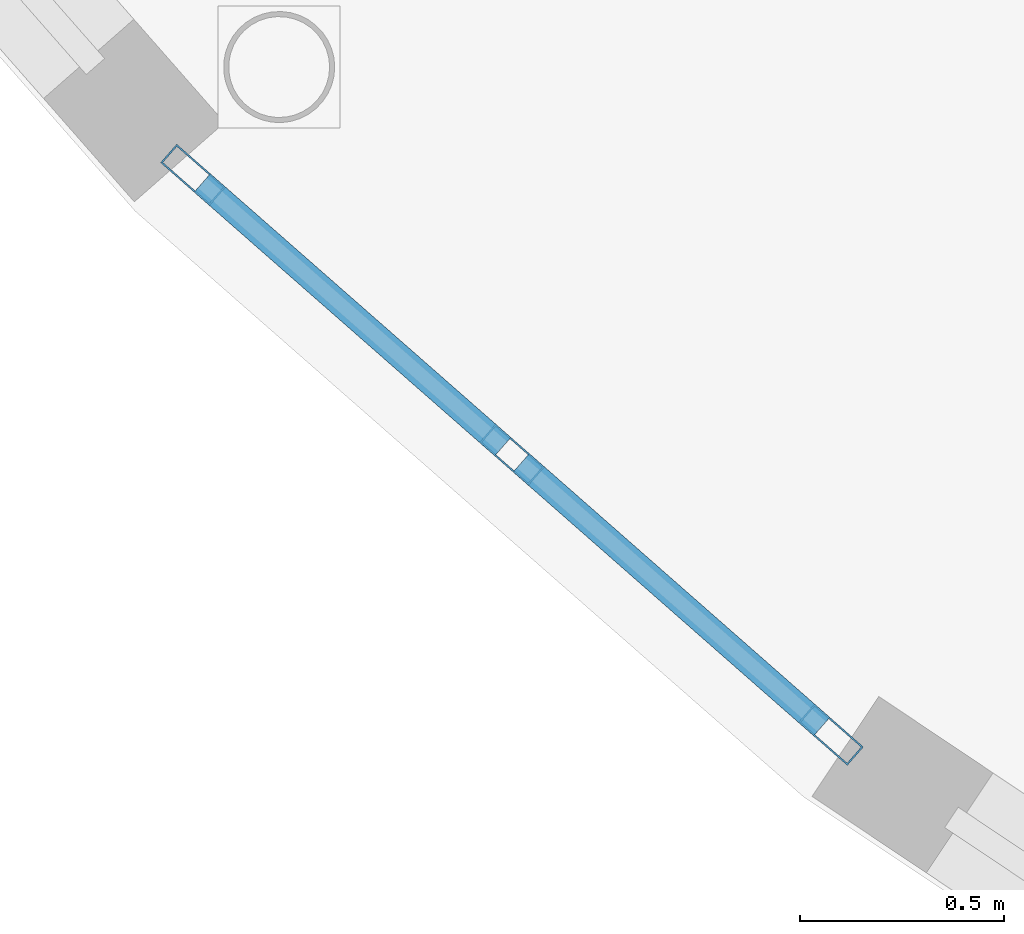
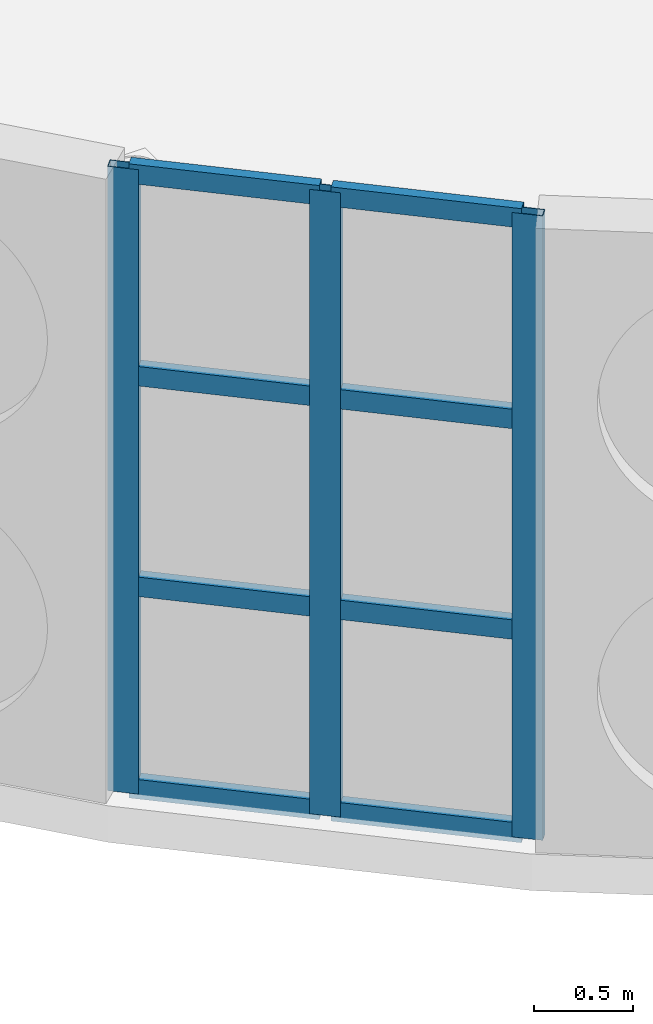
# One storey, part 27 of 114: 11 members, 1 element without a shape of its own.
"""IFC4 building model written with IfcOpenShell, lengths in metres."""

import ifcopenshell
import ifcopenshell.guid

model = None  # the IFC model being written
_history = None  # IfcOwnerHistory: only IFC2X3 demands one
_inside = {}  # id of a spatial element -> (the spatial element, [elements in it])
_under = {}  # id of a project, library or spatial element -> (it, [spatial elements below it])
_declared = {}  # id of a project -> (the project, [libraries it declares])
_typed = {}  # id of a type object -> (the type object, [elements of that type])
_made_of = {}  # id of a material, layer set ... -> (it, [elements and type objects made of it])


def new_model(schema):
    """Start an empty IFC model of exactly this schema.

    Asked for "IFC4X3", IfcOpenShell would pick the latest addendum, in which some entities
    have other attributes; the version numbers below select the first issue.
    IFC2X3 requires an IfcOwnerHistory on every rooted entity: one is made here for all.
    """
    global model, _history
    if schema == "IFC4X3":
        model = ifcopenshell.file(schema_version=(4, 3, 0, 0))
    else:
        model = ifcopenshell.file(schema=schema)
    _inside.clear()
    _under.clear()
    _declared.clear()
    _typed.clear()
    _made_of.clear()
    _history = None
    if model.schema == "IFC2X3":
        org = make("IfcOrganization", Name="unknown")
        user = make(
            "IfcPersonAndOrganization",
            ThePerson=make("IfcPerson", FamilyName="unknown"),
            TheOrganization=org,
        )
        app = make(
            "IfcApplication",
            ApplicationDeveloper=org,
            Version="unknown",
            ApplicationFullName="unknown",
            ApplicationIdentifier="unknown",
        )
        _history = make(
            "IfcOwnerHistory",
            OwningUser=user,
            OwningApplication=app,
            ChangeAction="ADDED",
            CreationDate=0,
        )
    return model


def make(cls, **values):
    """One entity of the class cls with the attributes given. An attribute that is None is left unset."""
    return model.create_entity(
        cls, **{name: value for name, value in values.items() if value is not None}
    )


def rooted(cls, **values):
    """An entity with a GlobalId (a new one), such as an element, a storey or a relation."""
    return make(cls, GlobalId=ifcopenshell.guid.new(), OwnerHistory=_history, **values)


def si_unit(unit_type, name, prefix=None):
    """IfcSIUnit, for example si_unit("LENGTHUNIT", "METRE", prefix="MILLI")."""
    return make("IfcSIUnit", UnitType=unit_type, Prefix=prefix, Name=name)


def assignment(units):
    """IfcUnitAssignment: the units of a project."""
    return None if units is None else make("IfcUnitAssignment", Units=units)


def point(xyz):
    """IfcCartesianPoint."""
    return None if xyz is None else make("IfcCartesianPoint", Coordinates=xyz)


def direction(xyz):
    """IfcDirection."""
    return None if xyz is None else make("IfcDirection", DirectionRatios=xyz)


def frame(location, z_axis=None, x_axis=None):
    """IfcAxis2Placement3D, a coordinate frame: its origin and axes. An axis left out is left unset."""
    return make(
        "IfcAxis2Placement3D",
        Location=point(location),
        Axis=direction(z_axis),
        RefDirection=direction(x_axis),
    )


def frame_2d(location, x_axis=None):
    """IfcAxis2Placement2D, a coordinate frame in the plane: its origin and x axis."""
    return make(
        "IfcAxis2Placement2D", Location=point(location), RefDirection=direction(x_axis)
    )


def origin():
    """The frame at (0, 0, 0) with its axes left unset."""
    return frame((0.0, 0.0, 0.0))


def origin_2d():
    """The frame at (0, 0) in the plane with its x axis left unset."""
    return frame_2d((0.0, 0.0))


def place(relative_to, where):
    """IfcLocalPlacement: puts the frame where relative to a parent placement (None: the world)."""
    return make(
        "IfcLocalPlacement", PlacementRelTo=relative_to, RelativePlacement=where
    )


def context(
    kind, dimensions, precision=None, world=None, true_north=None, identifier=None
):
    """IfcGeometricRepresentationContext, for example the 3D "Model" context."""
    return make(
        "IfcGeometricRepresentationContext",
        ContextIdentifier=identifier,
        ContextType=kind,
        CoordinateSpaceDimension=dimensions,
        Precision=precision,
        WorldCoordinateSystem=world,
        TrueNorth=true_north,
    )


def subcontext(parent, identifier, kind, view, scale=None):
    """IfcGeometricRepresentationSubContext, for example "Body" below "Model"."""
    return make(
        "IfcGeometricRepresentationSubContext",
        ContextIdentifier=identifier,
        ContextType=kind,
        ParentContext=parent,
        TargetScale=scale,
        TargetView=view,
    )


def project(units=None, contexts=None):
    """IfcProject with its units and contexts."""
    return rooted(
        "IfcProject",
        Name="project",
        RepresentationContexts=contexts,
        UnitsInContext=assignment(units),
    )


def spatial(cls, under=None, at=None, **own):
    """A site, building, storey or space (cls), placed at a placement, below another one or the project."""
    s = rooted(cls, ObjectPlacement=at, **own)
    if under is not None:
        _under.setdefault(under.id(), (under, []))[1].append(s)
    return s


def profile(cls, at=None, kind="AREA", **sizes):
    """A parametric profile (cls). Its sizes go by their IFC names, for example OverallWidth=200.0."""
    return make(cls, ProfileType=kind, Position=at, **sizes)


def hollow_rectangle(**sizes):
    """IfcRectangleHollowProfileDef."""
    return profile("IfcRectangleHollowProfileDef", **sizes)


def extrude(swept, where, along, depth):
    """IfcExtrudedAreaSolid: the profile swept, set in the frame where, extruded along a direction by depth."""
    return make(
        "IfcExtrudedAreaSolid",
        SweptArea=swept,
        Position=where,
        ExtrudedDirection=direction(along),
        Depth=depth,
    )


def shape(context_of_items, identifier, shape_type, items):
    """IfcShapeRepresentation: the items that make up one representation, for example the "Body"."""
    return make(
        "IfcShapeRepresentation",
        ContextOfItems=context_of_items,
        RepresentationIdentifier=identifier,
        RepresentationType=shape_type,
        Items=items,
    )


def material(Name=None, Category=None):
    """IfcMaterial."""
    return make("IfcMaterial", Name=Name, Category=Category)


def layer(
    of_material, thickness, ventilated=None, Name=None, Category=None, Priority=None
):
    """IfcMaterialLayer: one layer of a wall or slab, of a material (None: an air gap)."""
    return make(
        "IfcMaterialLayer",
        Material=of_material,
        LayerThickness=thickness,
        IsVentilated=ventilated,
        Name=Name,
        Category=Category,
        Priority=Priority,
    )


def layer_set(layers, Name=None):
    """IfcMaterialLayerSet."""
    return make("IfcMaterialLayerSet", MaterialLayers=layers, LayerSetName=Name)


def material_profile(
    of_material, cross_section, Name=None, Category=None, Priority=None
):
    """IfcMaterialProfile: a cross section and its material."""
    return make(
        "IfcMaterialProfile",
        Name=Name,
        Material=of_material,
        Profile=cross_section,
        Priority=Priority,
        Category=Category,
    )


def profile_set(profiles, Name=None, composite=None):
    """IfcMaterialProfileSet."""
    return make(
        "IfcMaterialProfileSet",
        Name=Name,
        MaterialProfiles=profiles,
        CompositeProfile=composite,
    )


def made_of(thing, what):
    """Note that an element or type object is made of a material, layer set ...; save() writes the relation."""
    if what is not None:
        _made_of.setdefault(what.id(), (what, []))[1].append(thing)
    return thing


def type_object(cls, material=None, **own):
    """A type object (cls), such as IfcWallType, which elements share."""
    return made_of(rooted(cls, **own), material)


def element(
    cls,
    number,
    at=None,
    inside=None,
    cuts=None,
    type_object=None,
    material=None,
    context=None,
    identifier="Body",
    shape_type=None,
    held_by="IfcProductDefinitionShape",
    body=None,
    shapes=None,
    **own,
):
    """One element of the class cls, such as IfcWall. Its Tag is "e" and its number.

    at: its placement. inside: the storey or other place that contains it. cuts: it is an
    opening in that element (IfcRelVoidsElement). A single representation is given by context,
    identifier, shape_type and body (its items); several are given by shapes. held_by: the class
    of the entity that holds the representations. save() writes the other relations.
    """
    e = rooted(cls, Tag="e%d" % number, ObjectPlacement=at, **own)
    if body is not None:
        shapes = [shape(context, identifier, shape_type, body)]
    if shapes is not None:
        e.Representation = make(held_by, Representations=shapes)
    if inside is not None:
        _inside.setdefault(inside.id(), (inside, []))[1].append(e)
    if cuts is not None:
        rooted(
            "IfcRelVoidsElement", RelatingBuildingElement=cuts, RelatedOpeningElement=e
        )
    if type_object is not None:
        _typed.setdefault(type_object.id(), (type_object, []))[1].append(e)
    return made_of(e, material)


def aggregate(whole, parts):
    """IfcRelAggregates: a whole, such as a stair, and the parts it consists of."""
    return rooted("IfcRelAggregates", RelatingObject=whole, RelatedObjects=parts)


def save(model, path):
    """Write the relations noted so far, then the file.

    IfcRelAggregates (storeys below a building ...), IfcRelContainedInSpatialStructure (elements
    in a storey), IfcRelDefinesByType, IfcRelAssociatesMaterial and IfcRelDeclares: one each for
    every whole, place, type object, material and project.
    """
    for whole, parts in _under.values():
        aggregate(whole, parts)
    for where, things in _inside.values():
        rooted(
            "IfcRelContainedInSpatialStructure",
            RelatedElements=things,
            RelatingStructure=where,
        )
    for kind, things in _typed.values():
        rooted("IfcRelDefinesByType", RelatedObjects=things, RelatingType=kind)
    for what, things in _made_of.values():
        rooted("IfcRelAssociatesMaterial", RelatedObjects=things, RelatingMaterial=what)
    for by, libraries in _declared.values():
        rooted("IfcRelDeclares", RelatingContext=by, RelatedDefinitions=libraries)
    model.write(path)


model = new_model("IFC4")

# Units and contexts
model_context = context("Model", 3, precision=1e-05, world=origin(), true_north=direction((0.0, 1.0)))
body_context = subcontext(model_context, "Body", "Model", "MODEL_VIEW")
ifc_project = project(units=[si_unit("LENGTHUNIT", "METRE"), si_unit("AREAUNIT", "SQUARE_METRE"), si_unit("VOLUMEUNIT", "CUBIC_METRE"), si_unit("PLANEANGLEUNIT", "RADIAN"), si_unit("MASSUNIT", "GRAM", prefix="KILO")], contexts=[model_context])

# Site, building, storey
site_placement = place(None, origin())
site = spatial("IfcSite", under=ifc_project, at=site_placement, CompositionType="ELEMENT")
building_placement = place(site_placement, origin())
building = spatial("IfcBuilding", under=site, at=building_placement, Name="Montecoro Central Library", CompositionType="ELEMENT")
storey_placement = place(building_placement, frame((0.0, 0.0, 13.260009765625)))
storey = spatial("IfcBuildingStorey", under=building, at=storey_placement, Name="L03", CompositionType="ELEMENT", Elevation=13.260009765625)

# Curtain wall, members
ifc_material_1 = material(Name="Bronze-anodised aluminium and low-E glazing", Category="aluminium")
ifc_layer = layer(ifc_material_1, 0.159912109375)
ifc_layer_set = layer_set([ifc_layer], Name="Bronze-anodised aluminium and low-E glazing")
curtain_wall_type = type_object("IfcCurtainWallType", Name="CWT-005", PredefinedType="NOTDEFINED", material=ifc_layer_set)
curtain_wall_placement = place(storey_placement, origin())
curtain_wall = element("IfcCurtainWall", 1, at=curtain_wall_placement, inside=storey, type_object=curtain_wall_type, Name="V1-L03-CW-31", PredefinedType="NOTDEFINED")
ifc_material_2 = material(Name="Bronze-anodised aluminium", Category="aluminium")
ifc_material_profile_1 = material_profile(ifc_material_2, hollow_rectangle(XDim=0.06005859375, YDim=0.159912109375, WallThickness=0.00390625, at=origin_2d()), Name="CWM 160x60x4.0")
ifc_profile_set_1 = profile_set([ifc_material_profile_1], Name="Bronze-anodised aluminium")
member_type_1 = type_object("IfcMemberType", Name="CWM-BRZ-60", PredefinedType="MULLION", material=ifc_profile_set_1)
member_1_placement = place(storey_placement, frame((79.947509765625, 23.694091796875, 0.0), z_axis=(0.0, 0.0, 1.0), x_axis=(0.659692012485, 0.751536059457, 0.0)))
member_1 = element("IfcMember", 2, at=member_1_placement, type_object=member_type_1, Name="CW-005 mullion 1", PredefinedType="MULLION", context=body_context, shape_type="SweptSolid", body=[
    extrude(hollow_rectangle(XDim=0.06005859375, YDim=0.159912109375, WallThickness=0.00390625, at=origin_2d()), origin(), (0.0, 0.0, 1.0), 3.85498046875),
])
member_2_placement = place(storey_placement, frame((80.73095703125, 23.006591796875, 0.0), z_axis=(0.0, 0.0, 1.0), x_axis=(0.659692012485, 0.751536059457, 0.0)))
member_2 = element("IfcMember", 3, at=member_2_placement, type_object=member_type_1, Name="CW-005 mullion 2", PredefinedType="MULLION", context=body_context, shape_type="SweptSolid", body=[
    extrude(hollow_rectangle(XDim=0.06005859375, YDim=0.159912109375, WallThickness=0.00390625, at=origin_2d()), origin(), (0.0, 0.0, 1.0), 3.85498046875),
])
member_3_placement = place(storey_placement, frame((81.514404296875, 22.31884765625, 0.0), z_axis=(0.0, 0.0, 1.0), x_axis=(0.659692012485, 0.751536059457, 0.0)))
member_3 = element("IfcMember", 4, at=member_3_placement, type_object=member_type_1, Name="CW-005 mullion 3", PredefinedType="MULLION", context=body_context, shape_type="SweptSolid", body=[
    extrude(hollow_rectangle(XDim=0.06005859375, YDim=0.159912109375, WallThickness=0.00390625, at=origin_2d()), origin(), (0.0, 0.0, 1.0), 3.85498046875),
])
ifc_material_profile_2 = material_profile(ifc_material_2, hollow_rectangle(XDim=0.06005859375, YDim=0.1201171875, WallThickness=0.00390625, at=origin_2d()), Name="CWT 120x60x4.0")
ifc_profile_set_2 = profile_set([ifc_material_profile_2], Name="Bronze-anodised aluminium")
member_type_2 = type_object("IfcMemberType", Name="CWT-BRZ-60", PredefinedType="USERDEFINED", material=ifc_profile_set_2)
member_4_placement = place(storey_placement, frame((79.969970703125, 23.67431640625, 0.030029296875), z_axis=(0.751698595953, -0.65950680121, 0.0), x_axis=(0.65950680121, 0.751698595953, 0.0)))
member_4 = element("IfcMember", 5, at=member_4_placement, type_object=member_type_2, Name="CW-005 transom 1.1", ObjectType="TRANSOM", PredefinedType="USERDEFINED", context=body_context, shape_type="SweptSolid", body=[
    extrude(hollow_rectangle(XDim=0.06005859375, YDim=0.1201171875, WallThickness=0.00390625, at=origin_2d()), origin(), (0.0, 0.0, 1.0), 0.982421875),
])
member_5_placement = place(storey_placement, frame((79.969970703125, 23.67431640625, 1.280029296875), z_axis=(0.751698595953, -0.65950680121, 0.0), x_axis=(0.65950680121, 0.751698595953, 0.0)))
member_5 = element("IfcMember", 6, at=member_5_placement, type_object=member_type_2, Name="CW-005 transom 1.2", ObjectType="TRANSOM", PredefinedType="USERDEFINED", context=body_context, shape_type="SweptSolid", body=[
    extrude(hollow_rectangle(XDim=0.06005859375, YDim=0.1201171875, WallThickness=0.00390625, at=origin_2d()), origin(), (0.0, 0.0, 1.0), 0.982421875),
])
member_6_placement = place(storey_placement, frame((79.969970703125, 23.67431640625, 2.580078125), z_axis=(0.751698595953, -0.65950680121, 0.0), x_axis=(0.65950680121, 0.751698595953, 0.0)))
member_6 = element("IfcMember", 7, at=member_6_placement, type_object=member_type_2, Name="CW-005 transom 1.3", ObjectType="TRANSOM", PredefinedType="USERDEFINED", context=body_context, shape_type="SweptSolid", body=[
    extrude(hollow_rectangle(XDim=0.06005859375, YDim=0.1201171875, WallThickness=0.00390625, at=origin_2d()), origin(), (0.0, 0.0, 1.0), 0.982421875),
])
member_7_placement = place(storey_placement, frame((79.969970703125, 23.67431640625, 3.824951171875), z_axis=(0.751698595953, -0.65950680121, 0.0), x_axis=(0.65950680121, 0.751698595953, 0.0)))
member_7 = element("IfcMember", 8, at=member_7_placement, type_object=member_type_2, Name="CW-005 transom 1.4", ObjectType="TRANSOM", PredefinedType="USERDEFINED", context=body_context, shape_type="SweptSolid", body=[
    extrude(hollow_rectangle(XDim=0.06005859375, YDim=0.1201171875, WallThickness=0.00390625, at=origin_2d()), origin(), (0.0, 0.0, 1.0), 0.982421875),
])
member_8_placement = place(storey_placement, frame((80.753662109375, 22.98681640625, 0.030029296875), z_axis=(0.751467269885, -0.659770370881, 0.0), x_axis=(0.659770370881, 0.751467269885, 0.0)))
member_8 = element("IfcMember", 9, at=member_8_placement, type_object=member_type_2, Name="CW-005 transom 2.1", ObjectType="TRANSOM", PredefinedType="USERDEFINED", context=body_context, shape_type="SweptSolid", body=[
    extrude(hollow_rectangle(XDim=0.06005859375, YDim=0.1201171875, WallThickness=0.00390625, at=origin_2d()), origin(), (0.0, 0.0, 1.0), 0.982421875),
])
member_9_placement = place(storey_placement, frame((80.753662109375, 22.98681640625, 1.280029296875), z_axis=(0.751467269885, -0.659770370881, 0.0), x_axis=(0.659770370881, 0.751467269885, 0.0)))
member_9 = element("IfcMember", 10, at=member_9_placement, type_object=member_type_2, Name="CW-005 transom 2.2", ObjectType="TRANSOM", PredefinedType="USERDEFINED", context=body_context, shape_type="SweptSolid", body=[
    extrude(hollow_rectangle(XDim=0.06005859375, YDim=0.1201171875, WallThickness=0.00390625, at=origin_2d()), origin(), (0.0, 0.0, 1.0), 0.982421875),
])
member_10_placement = place(storey_placement, frame((80.753662109375, 22.98681640625, 2.580078125), z_axis=(0.751467269885, -0.659770370881, 0.0), x_axis=(0.659770370881, 0.751467269885, 0.0)))
member_10 = element("IfcMember", 11, at=member_10_placement, type_object=member_type_2, Name="CW-005 transom 2.3", ObjectType="TRANSOM", PredefinedType="USERDEFINED", context=body_context, shape_type="SweptSolid", body=[
    extrude(hollow_rectangle(XDim=0.06005859375, YDim=0.1201171875, WallThickness=0.00390625, at=origin_2d()), origin(), (0.0, 0.0, 1.0), 0.982421875),
])
member_11_placement = place(storey_placement, frame((80.753662109375, 22.98681640625, 3.824951171875), z_axis=(0.751467269885, -0.659770370881, 0.0), x_axis=(0.659770370881, 0.751467269885, 0.0)))
member_11 = element("IfcMember", 12, at=member_11_placement, type_object=member_type_2, Name="CW-005 transom 2.4", ObjectType="TRANSOM", PredefinedType="USERDEFINED", context=body_context, shape_type="SweptSolid", body=[
    extrude(hollow_rectangle(XDim=0.06005859375, YDim=0.1201171875, WallThickness=0.00390625, at=origin_2d()), origin(), (0.0, 0.0, 1.0), 0.982421875),
])
aggregate(curtain_wall, [member_1, member_2, member_3, member_4, member_5, member_6, member_7, member_8, member_9, member_10, member_11])

save(model, "model.ifc")
